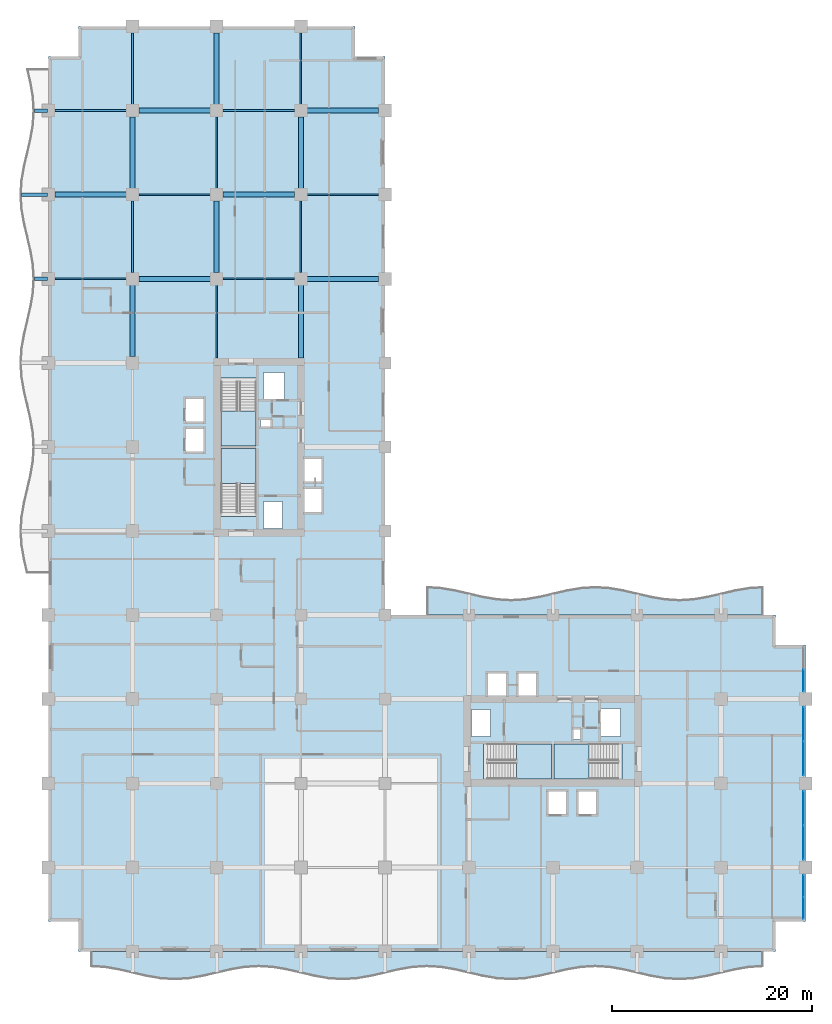
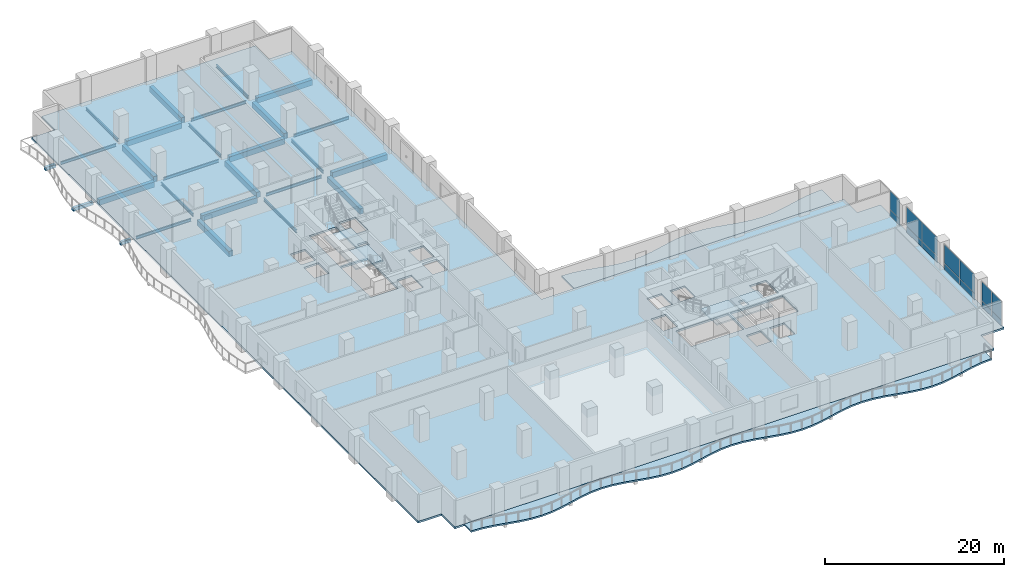
# One storey, part 7 of 23: 27 beams, 14 plates, 7 slabs, 8 elements without a shape of their own.
"""IFC4 building model written with IfcOpenShell, lengths in metres."""

from ifc_helpers import new_model, si_unit, direction, frame, origin, origin_2d, place, context, subcontext, project, spatial, polyline, rectangle, i_section, outline, extrude, material, layer, layer_set, material_profile, profile_set, type_object, element, aggregate, save


model = new_model("IFC4")

# Units and contexts
model_context = context("Model", 3, precision=1e-05, world=origin(), true_north=direction((0.0, 1.0)))
body_context = subcontext(model_context, "Body", "Model", "MODEL_VIEW")
ifc_project = project(units=[si_unit("LENGTHUNIT", "METRE"), si_unit("AREAUNIT", "SQUARE_METRE"), si_unit("VOLUMEUNIT", "CUBIC_METRE"), si_unit("PLANEANGLEUNIT", "RADIAN"), si_unit("MASSUNIT", "GRAM", prefix="KILO")], contexts=[model_context])

# Site, building, storey
site_placement = place(None, origin())
site = spatial("IfcSite", under=ifc_project, at=site_placement, CompositionType="ELEMENT")
building_placement = place(site_placement, origin())
building = spatial("IfcBuilding", under=site, at=building_placement, Name="Koriwani Terraces Tower", CompositionType="ELEMENT")
storey_placement = place(building_placement, frame((0.0, 0.0, 134.199951171875)))
storey = spatial("IfcBuildingStorey", under=building, at=storey_placement, Name="L32", CompositionType="ELEMENT", Elevation=134.199951171875)

# Beams
ifc_material_1 = material(Name="Concrete C40/50", Category="concrete")
ifc_material_profile_1 = material_profile(ifc_material_1, rectangle(XDim=0.35009765625, YDim=0.449951171875, at=origin_2d()), Name="Concrete C40/50", Category="LoadBearing")
ifc_profile_set_1 = profile_set([ifc_material_profile_1], Name="Concrete C40/50")
beam_type_1 = type_object("IfcBeamType", Name="BEAM_RC_BALCONY_RIB_350X450", PredefinedType="JOIST", material=ifc_profile_set_1)
beam_1_placement = place(storey_placement, frame((-1.39990234375, 67.199951171875, -0.474853515625), z_axis=(1.0, 0.0, 0.0), x_axis=(0.0, 1.0, 0.0)))
element("IfcBeam", 1, at=beam_1_placement, inside=storey, type_object=beam_type_1, Name="L32 Balcony Bracket Rib W-4", PredefinedType="JOIST", context=body_context, shape_type="SweptSolid", body=[
    extrude(rectangle(XDim=0.35009765625, YDim=0.449951171875, at=origin_2d()), origin(), (0.0, 0.0, 1.0), 1.2998046875),
])
beam_2_placement = place(storey_placement, frame((-2.699951171875, 75.60009765625, -0.474853515625), z_axis=(1.0, 0.0, 0.0), x_axis=(0.0, 1.0, 0.0)))
element("IfcBeam", 2, at=beam_2_placement, inside=storey, type_object=beam_type_1, Name="L32 Balcony Bracket Rib W-5", PredefinedType="JOIST", context=body_context, shape_type="SweptSolid", body=[
    extrude(rectangle(XDim=0.35009765625, YDim=0.449951171875, at=origin_2d()), origin(), (0.0, 0.0, 1.0), 2.599853515625),
])
beam_3_placement = place(storey_placement, frame((-1.39990234375, 84.0, -0.474853515625), z_axis=(1.0, 0.0, 0.0), x_axis=(0.0, 1.0, 0.0)))
element("IfcBeam", 3, at=beam_3_placement, inside=storey, type_object=beam_type_1, Name="L32 Balcony Bracket Rib W-6", PredefinedType="JOIST", context=body_context, shape_type="SweptSolid", body=[
    extrude(rectangle(XDim=0.35009765625, YDim=0.449951171875, at=origin_2d()), origin(), (0.0, 0.0, 1.0), 1.2998046875),
])
ifc_material_2 = material(Name="Concrete C50/60", Category="concrete")
ifc_material_profile_2 = material_profile(ifc_material_2, rectangle(XDim=0.5, YDim=0.75, at=origin_2d()), Name="Concrete C50/60", Category="LoadBearing")
ifc_profile_set_2 = profile_set([ifc_material_profile_2], Name="Concrete C50/60")
beam_type_2 = type_object("IfcBeamType", Name="BEAM_RC_GRID_500X750", PredefinedType="BEAM", material=ifc_profile_set_2)
for number, where, z_axis, x_axis, name in (
    (4, (9.030029296875, 67.199951171875, -0.625), (1.0, 0.0, 0.0), (0.0, 1.0, 0.0), "L32 Grid Beam I (8.4-16.8m)"),
    (5, (25.830078125, 67.199951171875, -0.625), (1.0, 0.0, 0.0), (0.0, 1.0, 0.0), "L32 Grid Beam I (25.2-33.6m)"),
):
    element("IfcBeam", number, at=place(storey_placement, frame(where, z_axis=z_axis, x_axis=x_axis)), inside=storey, type_object=beam_type_2, Name=name, PredefinedType="BEAM", context=body_context, shape_type="SweptSolid", body=[
        extrude(rectangle(XDim=0.5, YDim=0.75, at=origin_2d()), origin(), (0.0, 0.0, 1.0), 7.139892578125),
    ])
for number, where, z_axis, x_axis, name in (
    (6, (0.6298828125, 75.60009765625, -0.625), (1.0, 0.0, 0.0), (0.0, 1.0, 0.0), "L32 Grid Beam J (0.0-8.4m)"),
    (7, (17.429931640625, 75.60009765625, -0.625), (1.0, 0.0, 0.0), (0.0, 1.0, 0.0), "L32 Grid Beam J (16.8-25.2m)"),
):
    element("IfcBeam", number, at=place(storey_placement, frame(where, z_axis=z_axis, x_axis=x_axis)), inside=storey, type_object=beam_type_2, Name=name, PredefinedType="BEAM", context=body_context, shape_type="SweptSolid", body=[
        extrude(rectangle(XDim=0.5, YDim=0.75, at=origin_2d()), origin(), (0.0, 0.0, 1.0), 7.14013671875),
    ])
for number, where, z_axis, x_axis, name in (
    (8, (9.030029296875, 84.0, -0.625), (1.0, 0.0, 0.0), (0.0, 1.0, 0.0), "L32 Grid Beam K (8.4-16.8m)"),
    (9, (25.830078125, 84.0, -0.625), (1.0, 0.0, 0.0), (0.0, 1.0, 0.0), "L32 Grid Beam K (25.2-33.6m)"),
):
    element("IfcBeam", number, at=place(storey_placement, frame(where, z_axis=z_axis, x_axis=x_axis)), inside=storey, type_object=beam_type_2, Name=name, PredefinedType="BEAM", context=body_context, shape_type="SweptSolid", body=[
        extrude(rectangle(XDim=0.5, YDim=0.75, at=origin_2d()), origin(), (0.0, 0.0, 1.0), 7.139892578125),
    ])
for number, where, z_axis, x_axis, name in (
    (10, (8.39990234375, 59.429931640625, -0.625), (0.0, 1.0, 0.0), (-1.0, 0.0, 0.0), "L32 Grid Beam 2 (58.8-67.2m)"),
    (11, (8.39990234375, 76.22998046875, -0.625), (0.0, 1.0, 0.0), (-1.0, 0.0, 0.0), "L32 Grid Beam 2 (75.6-84.0m)"),
):
    element("IfcBeam", number, at=place(storey_placement, frame(where, z_axis=z_axis, x_axis=x_axis)), inside=storey, type_object=beam_type_2, Name=name, PredefinedType="BEAM", context=body_context, shape_type="SweptSolid", body=[
        extrude(rectangle(XDim=0.5, YDim=0.75, at=origin_2d()), origin(), (0.0, 0.0, 1.0), 7.14013671875),
    ])
beam_4_placement = place(storey_placement, frame((16.800048828125, 67.830078125, -0.625), z_axis=(0.0, 1.0, 0.0), x_axis=(-1.0, 0.0, 0.0)))
element("IfcBeam", 12, at=beam_4_placement, inside=storey, type_object=beam_type_2, Name="L32 Grid Beam 3 (67.2-75.6m)", PredefinedType="BEAM", context=body_context, shape_type="SweptSolid", body=[
    extrude(rectangle(XDim=0.5, YDim=0.75, at=origin_2d()), origin(), (0.0, 0.0, 1.0), 7.139892578125),
])
beam_5_placement = place(storey_placement, frame((16.800048828125, 84.6298828125, -0.625), z_axis=(0.0, 1.0, 0.0), x_axis=(-1.0, 0.0, 0.0)))
element("IfcBeam", 13, at=beam_5_placement, inside=storey, type_object=beam_type_2, Name="L32 Grid Beam 3 (84.0-92.4m)", PredefinedType="BEAM", context=body_context, shape_type="SweptSolid", body=[
    extrude(rectangle(XDim=0.5, YDim=0.75, at=origin_2d()), origin(), (0.0, 0.0, 1.0), 7.14013671875),
])
beam_6_placement = place(storey_placement, frame((25.199951171875, 59.280029296875, -0.625), z_axis=(0.0, 1.0, 0.0), x_axis=(-1.0, 0.0, 0.0)))
element("IfcBeam", 14, at=beam_6_placement, inside=storey, type_object=beam_type_2, Name="L32 Grid Beam 4 (58.8-67.2m)", PredefinedType="BEAM", context=body_context, shape_type="SweptSolid", body=[
    extrude(rectangle(XDim=0.5, YDim=0.75, at=origin_2d()), origin(), (0.0, 0.0, 1.0), 7.2900390625),
])
beam_7_placement = place(storey_placement, frame((25.199951171875, 76.22998046875, -0.625), z_axis=(0.0, 1.0, 0.0), x_axis=(-1.0, 0.0, 0.0)))
element("IfcBeam", 15, at=beam_7_placement, inside=storey, type_object=beam_type_2, Name="L32 Grid Beam 4 (75.6-84.0m)", PredefinedType="BEAM", context=body_context, shape_type="SweptSolid", body=[
    extrude(rectangle(XDim=0.5, YDim=0.75, at=origin_2d()), origin(), (0.0, 0.0, 1.0), 7.14013671875),
])
ifc_material_3 = material(Name="Steel ASTM A572 Grade 50", Category="steel")
ifc_material_profile_3 = material_profile(ifc_material_3, i_section(OverallWidth=0.180908203125, OverallDepth=0.4169921875, WebThickness=0.010986328125, FlangeThickness=0.018310546875, at=origin_2d()), Name="Steel ASTM A572 Grade 50", Category="LoadBearing")
ifc_profile_set_3 = profile_set([ifc_material_profile_3], Name="Steel ASTM A572 Grade 50")
beam_type_3 = type_object("IfcBeamType", Name="STEEL_BEAM_W410X85", PredefinedType="JOIST", material=ifc_profile_set_3)
for number, where, z_axis, x_axis, name in (
    (16, (0.6298828125, 67.199951171875, -0.45849609375), (1.0, 0.0, 0.0), (0.0, 1.0, 0.0), "L32 Grid Beam I (0.0-8.4m)"),
    (17, (17.429931640625, 67.199951171875, -0.45849609375), (1.0, 0.0, 0.0), (0.0, 1.0, 0.0), "L32 Grid Beam I (16.8-25.2m)"),
):
    element("IfcBeam", number, at=place(storey_placement, frame(where, z_axis=z_axis, x_axis=x_axis)), inside=storey, type_object=beam_type_3, Name=name, PredefinedType="JOIST", context=body_context, shape_type="SweptSolid", body=[
        extrude(i_section(OverallWidth=0.180908203125, OverallDepth=0.4169921875, WebThickness=0.010986328125, FlangeThickness=0.018310546875, at=origin_2d()), origin(), (0.0, 0.0, 1.0), 7.14013671875),
    ])
for number, where, z_axis, x_axis, name in (
    (18, (9.030029296875, 75.60009765625, -0.45849609375), (1.0, 0.0, 0.0), (0.0, 1.0, 0.0), "L32 Grid Beam J (8.4-16.8m)"),
    (19, (25.830078125, 75.60009765625, -0.45849609375), (1.0, 0.0, 0.0), (0.0, 1.0, 0.0), "L32 Grid Beam J (25.2-33.6m)"),
):
    element("IfcBeam", number, at=place(storey_placement, frame(where, z_axis=z_axis, x_axis=x_axis)), inside=storey, type_object=beam_type_3, Name=name, PredefinedType="JOIST", context=body_context, shape_type="SweptSolid", body=[
        extrude(i_section(OverallWidth=0.180908203125, OverallDepth=0.4169921875, WebThickness=0.010986328125, FlangeThickness=0.018310546875, at=origin_2d()), origin(), (0.0, 0.0, 1.0), 7.139892578125),
    ])
for number, where, z_axis, x_axis, name in (
    (20, (0.6298828125, 84.0, -0.45849609375), (1.0, 0.0, 0.0), (0.0, 1.0, 0.0), "L32 Grid Beam K (0.0-8.4m)"),
    (21, (17.429931640625, 84.0, -0.45849609375), (1.0, 0.0, 0.0), (0.0, 1.0, 0.0), "L32 Grid Beam K (16.8-25.2m)"),
):
    element("IfcBeam", number, at=place(storey_placement, frame(where, z_axis=z_axis, x_axis=x_axis)), inside=storey, type_object=beam_type_3, Name=name, PredefinedType="JOIST", context=body_context, shape_type="SweptSolid", body=[
        extrude(i_section(OverallWidth=0.180908203125, OverallDepth=0.4169921875, WebThickness=0.010986328125, FlangeThickness=0.018310546875, at=origin_2d()), origin(), (0.0, 0.0, 1.0), 7.14013671875),
    ])
beam_8_placement = place(storey_placement, frame((8.39990234375, 67.830078125, -0.45849609375), z_axis=(0.0, 1.0, 0.0), x_axis=(-1.0, 0.0, 0.0)))
element("IfcBeam", 22, at=beam_8_placement, inside=storey, type_object=beam_type_3, Name="L32 Grid Beam 2 (67.2-75.6m)", PredefinedType="JOIST", context=body_context, shape_type="SweptSolid", body=[
    extrude(i_section(OverallWidth=0.180908203125, OverallDepth=0.4169921875, WebThickness=0.010986328125, FlangeThickness=0.018310546875, at=origin_2d()), origin(), (0.0, 0.0, 1.0), 7.139892578125),
])
beam_9_placement = place(storey_placement, frame((8.39990234375, 84.6298828125, -0.45849609375), z_axis=(0.0, 1.0, 0.0), x_axis=(-1.0, 0.0, 0.0)))
element("IfcBeam", 23, at=beam_9_placement, inside=storey, type_object=beam_type_3, Name="L32 Grid Beam 2 (84.0-92.4m)", PredefinedType="JOIST", context=body_context, shape_type="SweptSolid", body=[
    extrude(i_section(OverallWidth=0.180908203125, OverallDepth=0.4169921875, WebThickness=0.010986328125, FlangeThickness=0.018310546875, at=origin_2d()), origin(), (0.0, 0.0, 1.0), 7.14013671875),
])
beam_10_placement = place(storey_placement, frame((16.800048828125, 59.280029296875, -0.45849609375), z_axis=(0.0, 1.0, 0.0), x_axis=(-1.0, 0.0, 0.0)))
element("IfcBeam", 24, at=beam_10_placement, inside=storey, type_object=beam_type_3, Name="L32 Grid Beam 3 (58.8-67.2m)", PredefinedType="JOIST", context=body_context, shape_type="SweptSolid", body=[
    extrude(i_section(OverallWidth=0.180908203125, OverallDepth=0.4169921875, WebThickness=0.010986328125, FlangeThickness=0.018310546875, at=origin_2d()), origin(), (0.0, 0.0, 1.0), 7.2900390625),
])
beam_11_placement = place(storey_placement, frame((16.800048828125, 76.22998046875, -0.45849609375), z_axis=(0.0, 1.0, 0.0), x_axis=(-1.0, 0.0, 0.0)))
element("IfcBeam", 25, at=beam_11_placement, inside=storey, type_object=beam_type_3, Name="L32 Grid Beam 3 (75.6-84.0m)", PredefinedType="JOIST", context=body_context, shape_type="SweptSolid", body=[
    extrude(i_section(OverallWidth=0.180908203125, OverallDepth=0.4169921875, WebThickness=0.010986328125, FlangeThickness=0.018310546875, at=origin_2d()), origin(), (0.0, 0.0, 1.0), 7.14013671875),
])
beam_12_placement = place(storey_placement, frame((25.199951171875, 67.830078125, -0.45849609375), z_axis=(0.0, 1.0, 0.0), x_axis=(-1.0, 0.0, 0.0)))
element("IfcBeam", 26, at=beam_12_placement, inside=storey, type_object=beam_type_3, Name="L32 Grid Beam 4 (67.2-75.6m)", PredefinedType="JOIST", context=body_context, shape_type="SweptSolid", body=[
    extrude(i_section(OverallWidth=0.180908203125, OverallDepth=0.4169921875, WebThickness=0.010986328125, FlangeThickness=0.018310546875, at=origin_2d()), origin(), (0.0, 0.0, 1.0), 7.139892578125),
])
beam_13_placement = place(storey_placement, frame((25.199951171875, 84.6298828125, -0.45849609375), z_axis=(0.0, 1.0, 0.0), x_axis=(-1.0, 0.0, 0.0)))
element("IfcBeam", 27, at=beam_13_placement, inside=storey, type_object=beam_type_3, Name="L32 Grid Beam 4 (84.0-92.4m)", PredefinedType="JOIST", context=body_context, shape_type="SweptSolid", body=[
    extrude(i_section(OverallWidth=0.180908203125, OverallDepth=0.4169921875, WebThickness=0.010986328125, FlangeThickness=0.018310546875, at=origin_2d()), origin(), (0.0, 0.0, 1.0), 7.14013671875),
])

# Curtain wall, plates
ifc_material_4 = material(Name="Anodised Bronze Aluminium", Category="aluminium")
ifc_layer_1 = layer(ifc_material_4, 0.179931640625, Name="Anodised Bronze Aluminium")
ifc_layer_set_1 = layer_set([ifc_layer_1], Name="Anodised Bronze Aluminium")
curtain_wall_type = type_object("IfcCurtainWallType", Name="CW_HOTEL_ZONE2", PredefinedType="NOTDEFINED", material=ifc_layer_set_1)
curtain_wall_1_placement = place(storey_placement, origin())
curtain_wall_1 = element("IfcCurtainWall", 28, at=curtain_wall_1_placement, inside=storey, type_object=curtain_wall_type, Name="L32 Unitised Curtain Wall (E_TIP) Bay 1", PredefinedType="NOTDEFINED")
ifc_material_5 = material(Name="Tempered Laminated Low-E Glass", Category="glass")
ifc_layer_2 = layer(ifc_material_5, 0.028076171875, Name="Tempered Laminated Low-E Glass")
ifc_layer_set_2 = layer_set([ifc_layer_2], Name="Tempered Laminated Low-E Glass")
plate_type = type_object("IfcPlateType", Name="CW_PANEL_VISION_28", PredefinedType="CURTAIN_PANEL", material=ifc_layer_set_2)
plate_1_placement = place(storey_placement, frame((75.425048828125, 27.0576171875, 0.06494140625), z_axis=(0.0, 0.0, 1.0), x_axis=(0.0, -1.0, 0.0)))
plate_1 = element("IfcPlate", 29, at=plate_1_placement, type_object=plate_type, Name="CW-Z2 panel 2.1", PredefinedType="CURTAIN_PANEL", context=body_context, shape_type="SweptSolid", body=[
    extrude(rectangle(XDim=2.14501953125, YDim=0.028076171875, at=origin_2d()), origin(), (0.0, 0.0, 1.0), 0.802490234375),
])
plate_2_placement = place(storey_placement, frame((75.425048828125, 27.0576171875, 0.9326171875), z_axis=(0.0, 0.0, 1.0), x_axis=(0.0, -1.0, 0.0)))
plate_2 = element("IfcPlate", 30, at=plate_2_placement, type_object=plate_type, Name="CW-Z2 panel 2.2", PredefinedType="CURTAIN_PANEL", context=body_context, shape_type="SweptSolid", body=[
    extrude(rectangle(XDim=2.14501953125, YDim=0.028076171875, at=origin_2d()), origin(), (0.0, 0.0, 1.0), 2.552490234375),
])
aggregate(curtain_wall_1, [plate_1, plate_2])

curtain_wall_2_placement = place(storey_placement, origin())
curtain_wall_2 = element("IfcCurtainWall", 31, at=curtain_wall_2_placement, inside=storey, type_object=curtain_wall_type, Name="L32 Unitised Curtain Wall (E_TIP) Bay 2", PredefinedType="NOTDEFINED")
plate_3_placement = place(storey_placement, frame((75.425048828125, 22.726318359375, 0.06494140625), z_axis=(0.0, 0.0, 1.0), x_axis=(0.0, -1.0, 0.0)))
plate_3 = element("IfcPlate", 32, at=plate_3_placement, type_object=plate_type, Name="CW-Z2 panel 1.1", PredefinedType="CURTAIN_PANEL", context=body_context, shape_type="SweptSolid", body=[
    extrude(rectangle(XDim=3.37744140625, YDim=0.028076171875, at=origin_2d()), origin(), (0.0, 0.0, 1.0), 0.802490234375),
])
plate_4_placement = place(storey_placement, frame((75.425048828125, 22.726318359375, 0.9326171875), z_axis=(0.0, 0.0, 1.0), x_axis=(0.0, -1.0, 0.0)))
plate_4 = element("IfcPlate", 33, at=plate_4_placement, type_object=plate_type, Name="CW-Z2 panel 1.2", PredefinedType="CURTAIN_PANEL", context=body_context, shape_type="SweptSolid", body=[
    extrude(rectangle(XDim=3.37744140625, YDim=0.028076171875, at=origin_2d()), origin(), (0.0, 0.0, 1.0), 2.552490234375),
])
plate_5_placement = place(storey_placement, frame((75.425048828125, 19.273681640625, 0.06494140625), z_axis=(0.0, 0.0, 1.0), x_axis=(0.0, -1.0, 0.0)))
plate_5 = element("IfcPlate", 34, at=plate_5_placement, type_object=plate_type, Name="CW-Z2 panel 2.1", PredefinedType="CURTAIN_PANEL", context=body_context, shape_type="SweptSolid", body=[
    extrude(rectangle(XDim=3.37744140625, YDim=0.028076171875, at=origin_2d()), origin(), (0.0, 0.0, 1.0), 0.802490234375),
])
plate_6_placement = place(storey_placement, frame((75.425048828125, 19.273681640625, 0.9326171875), z_axis=(0.0, 0.0, 1.0), x_axis=(0.0, -1.0, 0.0)))
plate_6 = element("IfcPlate", 35, at=plate_6_placement, type_object=plate_type, Name="CW-Z2 panel 2.2", PredefinedType="CURTAIN_PANEL", context=body_context, shape_type="SweptSolid", body=[
    extrude(rectangle(XDim=3.37744140625, YDim=0.028076171875, at=origin_2d()), origin(), (0.0, 0.0, 1.0), 2.552490234375),
])
aggregate(curtain_wall_2, [plate_3, plate_4, plate_5, plate_6])

curtain_wall_3_placement = place(storey_placement, origin())
curtain_wall_3 = element("IfcCurtainWall", 36, at=curtain_wall_3_placement, inside=storey, type_object=curtain_wall_type, Name="L32 Unitised Curtain Wall (E_TIP) Bay 3", PredefinedType="NOTDEFINED")
plate_7_placement = place(storey_placement, frame((75.425048828125, 14.326171875, 0.06494140625), z_axis=(0.0, 0.0, 1.0), x_axis=(0.0, -1.0, 0.0)))
plate_7 = element("IfcPlate", 37, at=plate_7_placement, type_object=plate_type, Name="CW-Z2 panel 1.1", PredefinedType="CURTAIN_PANEL", context=body_context, shape_type="SweptSolid", body=[
    extrude(rectangle(XDim=3.37744140625, YDim=0.028076171875, at=origin_2d()), origin(), (0.0, 0.0, 1.0), 0.802490234375),
])
plate_8_placement = place(storey_placement, frame((75.425048828125, 14.326171875, 0.9326171875), z_axis=(0.0, 0.0, 1.0), x_axis=(0.0, -1.0, 0.0)))
plate_8 = element("IfcPlate", 38, at=plate_8_placement, type_object=plate_type, Name="CW-Z2 panel 1.2", PredefinedType="CURTAIN_PANEL", context=body_context, shape_type="SweptSolid", body=[
    extrude(rectangle(XDim=3.37744140625, YDim=0.028076171875, at=origin_2d()), origin(), (0.0, 0.0, 1.0), 2.552490234375),
])
plate_9_placement = place(storey_placement, frame((75.425048828125, 10.873779296875, 0.06494140625), z_axis=(0.0, 0.0, 1.0), x_axis=(0.0, -1.0, 0.0)))
plate_9 = element("IfcPlate", 39, at=plate_9_placement, type_object=plate_type, Name="CW-Z2 panel 2.1", PredefinedType="CURTAIN_PANEL", context=body_context, shape_type="SweptSolid", body=[
    extrude(rectangle(XDim=3.37744140625, YDim=0.028076171875, at=origin_2d()), origin(), (0.0, 0.0, 1.0), 0.802490234375),
])
plate_10_placement = place(storey_placement, frame((75.425048828125, 10.873779296875, 0.9326171875), z_axis=(0.0, 0.0, 1.0), x_axis=(0.0, -1.0, 0.0)))
plate_10 = element("IfcPlate", 40, at=plate_10_placement, type_object=plate_type, Name="CW-Z2 panel 2.2", PredefinedType="CURTAIN_PANEL", context=body_context, shape_type="SweptSolid", body=[
    extrude(rectangle(XDim=3.37744140625, YDim=0.028076171875, at=origin_2d()), origin(), (0.0, 0.0, 1.0), 2.552490234375),
])
aggregate(curtain_wall_3, [plate_7, plate_8, plate_9, plate_10])

curtain_wall_4_placement = place(storey_placement, origin())
curtain_wall_4 = element("IfcCurtainWall", 41, at=curtain_wall_4_placement, inside=storey, type_object=curtain_wall_type, Name="L32 Unitised Curtain Wall (E_TIP) Bay 4", PredefinedType="NOTDEFINED")
plate_11_placement = place(storey_placement, frame((75.425048828125, 6.54248046875, 0.06494140625), z_axis=(0.0, 0.0, 1.0), x_axis=(0.0, -1.0, 0.0)))
plate_11 = element("IfcPlate", 42, at=plate_11_placement, type_object=plate_type, Name="CW-Z2 panel 1.1", PredefinedType="CURTAIN_PANEL", context=body_context, shape_type="SweptSolid", body=[
    extrude(rectangle(XDim=2.14501953125, YDim=0.028076171875, at=origin_2d()), origin(), (0.0, 0.0, 1.0), 0.802490234375),
])
plate_12_placement = place(storey_placement, frame((75.425048828125, 6.54248046875, 0.9326171875), z_axis=(0.0, 0.0, 1.0), x_axis=(0.0, -1.0, 0.0)))
plate_12 = element("IfcPlate", 43, at=plate_12_placement, type_object=plate_type, Name="CW-Z2 panel 1.2", PredefinedType="CURTAIN_PANEL", context=body_context, shape_type="SweptSolid", body=[
    extrude(rectangle(XDim=2.14501953125, YDim=0.028076171875, at=origin_2d()), origin(), (0.0, 0.0, 1.0), 2.552490234375),
])
plate_13_placement = place(storey_placement, frame((75.425048828125, 4.322509765625, 0.06494140625), z_axis=(0.0, 0.0, 1.0), x_axis=(0.0, -1.0, 0.0)))
plate_13 = element("IfcPlate", 44, at=plate_13_placement, type_object=plate_type, Name="CW-Z2 panel 2.1", PredefinedType="CURTAIN_PANEL", context=body_context, shape_type="SweptSolid", body=[
    extrude(rectangle(XDim=2.14501953125, YDim=0.028076171875, at=origin_2d()), origin(), (0.0, 0.0, 1.0), 0.802490234375),
])
plate_14_placement = place(storey_placement, frame((75.425048828125, 4.322509765625, 0.9326171875), z_axis=(0.0, 0.0, 1.0), x_axis=(0.0, -1.0, 0.0)))
plate_14 = element("IfcPlate", 45, at=plate_14_placement, type_object=plate_type, Name="CW-Z2 panel 2.2", PredefinedType="CURTAIN_PANEL", context=body_context, shape_type="SweptSolid", body=[
    extrude(rectangle(XDim=2.14501953125, YDim=0.028076171875, at=origin_2d()), origin(), (0.0, 0.0, 1.0), 2.552490234375),
])
aggregate(curtain_wall_4, [plate_11, plate_12, plate_13, plate_14])

# Slabs
ifc_layer_3 = layer(ifc_material_1, 0.219970703125, Name="Concrete C40/50")
ifc_layer_set_3 = layer_set([ifc_layer_3], Name="Concrete C40/50")
slab_type_1 = type_object("IfcSlabType", Name="SLAB_BALCONY_220", PredefinedType="FLOOR", material=ifc_layer_set_3)
slab_1_placement = place(storey_placement, frame((0.0, 0.0, -0.219970703125)))
element("IfcSlab", 46, at=slab_1_placement, inside=storey, type_object=slab_type_1, Name="L32 Quilted Circular-Arc Balcony (S)", PredefinedType="FLOOR", context=body_context, shape_type="SweptSolid", body=[
    extrude(outline(polyline([(4.199951171875, 0.0), (5.60009765625, 0.0), (7.0, 0.0), (8.39990234375, 0.0), (9.800048828125, 0.0), (11.199951171875, 0.0), (12.60009765625, 0.0), (14.0, 0.0), (15.39990234375, 0.0), (16.800048828125, 0.0), (18.199951171875, 0.0), (19.60009765625, 0.0), (21.0, 0.0), (22.39990234375, 0.0), (23.800048828125, 0.0), (25.199951171875, 0.0), (26.60009765625, 0.0), (28.0, 0.0), (29.39990234375, 0.0), (30.800048828125, 0.0), (32.199951171875, 0.0), (33.60009765625, 0.0), (35.0, 0.0), (36.39990234375, 0.0), (37.800048828125, 0.0), (39.199951171875, 0.0), (40.60009765625, 0.0), (42.0, 0.0), (43.39990234375, 0.0), (44.800048828125, 0.0), (46.199951171875, 0.0), (47.60009765625, 0.0), (49.0, 0.0), (50.39990234375, 0.0), (51.800048828125, 0.0), (53.199951171875, 0.0), (54.60009765625, 0.0), (56.0, 0.0), (57.39990234375, 0.0), (58.800048828125, 0.0), (60.199951171875, 0.0), (61.60009765625, 0.0), (63.0, 0.0), (64.39990234375, 0.0), (65.800048828125, 0.0), (67.199951171875, 0.0), (68.60009765625, 0.0), (70.0, 0.0), (71.39990234375, 0.0), (71.39990234375, -1.550048828125), (70.0, -1.63720703125), (68.60009765625, -1.875), (67.199951171875, -2.199951171875), (65.800048828125, -2.52490234375), (64.39990234375, -2.762939453125), (63.0, -2.85009765625), (61.60009765625, -2.762939453125), (60.199951171875, -2.52490234375), (58.800048828125, -2.199951171875), (57.39990234375, -1.875), (56.0, -1.63720703125), (54.60009765625, -1.550048828125), (53.199951171875, -1.63720703125), (51.800048828125, -1.875), (50.39990234375, -2.199951171875), (49.0, -2.52490234375), (47.60009765625, -2.762939453125), (46.199951171875, -2.85009765625), (44.800048828125, -2.762939453125), (43.39990234375, -2.52490234375), (42.0, -2.199951171875), (40.60009765625, -1.875), (39.199951171875, -1.63720703125), (37.800048828125, -1.550048828125), (36.39990234375, -1.63720703125), (35.0, -1.875), (33.60009765625, -2.199951171875), (32.199951171875, -2.52490234375), (30.800048828125, -2.762939453125), (29.39990234375, -2.85009765625), (28.0, -2.762939453125), (26.60009765625, -2.52490234375), (25.199951171875, -2.199951171875), (23.800048828125, -1.875), (22.39990234375, -1.63720703125), (21.0, -1.550048828125), (19.60009765625, -1.63720703125), (18.199951171875, -1.875), (16.800048828125, -2.199951171875), (15.39990234375, -2.52490234375), (14.0, -2.762939453125), (12.60009765625, -2.85009765625), (11.199951171875, -2.762939453125), (9.800048828125, -2.52490234375), (8.39990234375, -2.199951171875), (7.0, -1.875), (5.60009765625, -1.63720703125), (4.199951171875, -1.550048828125), (4.199951171875, 0.0)])), origin(), (0.0, 0.0, 1.0), 0.219970703125),
])
slab_2_placement = place(storey_placement, frame((0.0, 0.0, -0.219970703125)))
element("IfcSlab", 47, at=slab_2_placement, inside=storey, type_object=slab_type_1, Name="L32 Quilted Circular-Arc Balcony (NE)", PredefinedType="FLOOR", context=body_context, shape_type="SweptSolid", body=[
    extrude(outline(polyline([(71.39990234375, 33.60009765625), (70.0, 33.60009765625), (68.60009765625, 33.60009765625), (67.199951171875, 33.60009765625), (65.800048828125, 33.60009765625), (64.39990234375, 33.60009765625), (63.0, 33.60009765625), (61.60009765625, 33.60009765625), (60.199951171875, 33.60009765625), (58.800048828125, 33.60009765625), (57.39990234375, 33.60009765625), (56.0, 33.60009765625), (54.60009765625, 33.60009765625), (53.199951171875, 33.60009765625), (51.800048828125, 33.60009765625), (50.39990234375, 33.60009765625), (49.0, 33.60009765625), (47.60009765625, 33.60009765625), (46.199951171875, 33.60009765625), (44.800048828125, 33.60009765625), (43.39990234375, 33.60009765625), (42.0, 33.60009765625), (40.60009765625, 33.60009765625), (39.199951171875, 33.60009765625), (37.800048828125, 33.60009765625), (37.800048828125, 36.449951171875), (39.199951171875, 36.36279296875), (40.60009765625, 36.125), (42.0, 35.800048828125), (43.39990234375, 35.47509765625), (44.800048828125, 35.237060546875), (46.199951171875, 35.14990234375), (47.60009765625, 35.237060546875), (49.0, 35.47509765625), (50.39990234375, 35.800048828125), (51.800048828125, 36.125), (53.199951171875, 36.36279296875), (54.60009765625, 36.449951171875), (56.0, 36.36279296875), (57.39990234375, 36.125), (58.800048828125, 35.800048828125), (60.199951171875, 35.47509765625), (61.60009765625, 35.237060546875), (63.0, 35.14990234375), (64.39990234375, 35.237060546875), (65.800048828125, 35.47509765625), (67.199951171875, 35.800048828125), (68.60009765625, 36.125), (70.0, 36.36279296875), (71.39990234375, 36.449951171875), (71.39990234375, 33.60009765625)])), origin(), (0.0, 0.0, 1.0), 0.219970703125),
])

# Stair, slab
stair_type = type_object("IfcStairType", Name="STAIR_CORE_DOGLEG_1650", PredefinedType="TWO_STRAIGHT_RUN_STAIR", material=ifc_material_1)
stair_1_placement = place(storey_placement, origin())
stair_1 = element("IfcStair", 48, at=stair_1_placement, inside=storey, type_object=stair_type, Name="L32 West Core Exit Stair 1", PredefinedType="HALF_TURN_STAIR")
ifc_layer_4 = layer(ifc_material_1, 0.199951171875, Name="Concrete C40/50")
ifc_layer_set_4 = layer_set([ifc_layer_4], Name="Concrete C40/50")
slab_type_2 = type_object("IfcSlabType", Name="SLAB_STAIR_LANDING_200", PredefinedType="LANDING", material=ifc_layer_set_4)
slab_3_placement = place(storey_placement, frame((0.0, 0.0, 1.699951171875)))
slab_3 = element("IfcSlab", 49, at=slab_3_placement, type_object=slab_type_2, Name="ST-W1 landing 1", PredefinedType="LANDING", context=body_context, shape_type="SweptSolid", body=[
    extrude(outline(polyline([(20.75, 46.75), (20.75, 50.25), (17.25, 50.25), (17.25, 46.75), (20.75, 46.75)])), origin(), (0.0, 0.0, 1.0), 0.2001953125),
])
aggregate(stair_1, [slab_3])

stair_2_placement = place(storey_placement, origin())
stair_2 = element("IfcStair", 50, at=stair_2_placement, inside=storey, type_object=stair_type, Name="L32 West Core Exit Stair 2", PredefinedType="HALF_TURN_STAIR")
slab_4_placement = place(storey_placement, frame((0.0, 0.0, 1.699951171875)))
slab_4 = element("IfcSlab", 51, at=slab_4_placement, type_object=slab_type_2, Name="ST-W2 landing 1", PredefinedType="LANDING", context=body_context, shape_type="SweptSolid", body=[
    extrude(outline(polyline([(17.25, 54.0), (17.25, 50.5), (20.75, 50.5), (20.75, 54.0), (17.25, 54.0)])), origin(), (0.0, 0.0, 1.0), 0.2001953125),
])
aggregate(stair_2, [slab_4])

stair_3_placement = place(storey_placement, origin())
stair_3 = element("IfcStair", 52, at=stair_3_placement, inside=storey, type_object=stair_type, Name="L32 East Core Exit Stair 1", PredefinedType="HALF_TURN_STAIR")
slab_5_placement = place(storey_placement, frame((0.0, 0.0, 1.699951171875)))
slab_5 = element("IfcSlab", 53, at=slab_5_placement, type_object=slab_type_2, Name="ST-E1 landing 1", PredefinedType="LANDING", context=body_context, shape_type="SweptSolid", body=[
    extrude(outline(polyline([(46.75, 17.25), (50.25, 17.25), (50.25, 20.75), (46.75, 20.75), (46.75, 17.25)])), origin(), (0.0, 0.0, 1.0), 0.2001953125),
])
aggregate(stair_3, [slab_5])

stair_4_placement = place(storey_placement, origin())
stair_4 = element("IfcStair", 54, at=stair_4_placement, inside=storey, type_object=stair_type, Name="L32 East Core Exit Stair 2", PredefinedType="HALF_TURN_STAIR")
slab_6_placement = place(storey_placement, frame((0.0, 0.0, 1.699951171875)))
slab_6 = element("IfcSlab", 55, at=slab_6_placement, type_object=slab_type_2, Name="ST-E2 landing 1", PredefinedType="LANDING", context=body_context, shape_type="SweptSolid", body=[
    extrude(outline(polyline([(54.0, 20.75), (50.5, 20.75), (50.5, 17.25), (54.0, 17.25), (54.0, 20.75)])), origin(), (0.0, 0.0, 1.0), 0.2001953125),
])
aggregate(stair_4, [slab_6])

# Slab
ifc_layer_5 = layer(ifc_material_1, 0.25, Name="Concrete C40/50")
ifc_layer_set_5 = layer_set([ifc_layer_5], Name="Concrete C40/50")
slab_type_3 = type_object("IfcSlabType", Name="SLAB_TOWER_TYP_250", PredefinedType="FLOOR", material=ifc_layer_set_5)
slab_7_placement = place(storey_placement, frame((0.0, 0.0, -0.25)))
element("IfcSlab", 56, at=slab_7_placement, inside=storey, type_object=slab_type_3, Name="L32 Structural Floor Slab", PredefinedType="FLOOR", context=body_context, shape_type="SweptSolid", body=[
    extrude(outline(polyline([(3.0, 0.0), (72.60009765625, 0.0), (72.60009765625, 3.0), (75.60009765625, 3.0), (75.60009765625, 30.60009765625), (72.60009765625, 30.60009765625), (72.60009765625, 33.60009765625), (33.60009765625, 33.60009765625), (33.60009765625, 89.39990234375), (30.60009765625, 89.39990234375), (30.60009765625, 92.39990234375), (3.0, 92.39990234375), (3.0, 89.39990234375), (0.0, 89.39990234375), (0.0, 3.0), (3.0, 3.0), (3.0, 0.0)]), holes=[polyline([(17.25, 43.4599609375), (20.75, 43.4599609375), (20.75, 50.25), (17.25, 50.25), (17.25, 43.4599609375)]), polyline([(17.25, 50.5), (20.75, 50.5), (20.75, 57.2900390625), (17.25, 57.2900390625), (17.25, 50.5)]), polyline([(43.4599609375, 17.25), (50.25, 17.25), (50.25, 20.75), (43.4599609375, 20.75), (43.4599609375, 17.25)]), polyline([(50.5, 17.25), (57.2900390625, 17.25), (57.2900390625, 20.75), (50.5, 20.75), (50.5, 17.25)]), polyline([(13.64990234375, 49.85009765625), (15.550048828125, 49.85009765625), (15.550048828125, 52.25), (13.64990234375, 52.25), (13.64990234375, 49.85009765625)]), polyline([(13.64990234375, 52.85009765625), (15.550048828125, 52.85009765625), (15.550048828125, 55.25), (13.64990234375, 55.25), (13.64990234375, 52.85009765625)]), polyline([(49.85009765625, 13.64990234375), (51.75, 13.64990234375), (51.75, 16.050048828125), (49.85009765625, 16.050048828125), (49.85009765625, 13.64990234375)]), polyline([(52.85009765625, 13.64990234375), (54.75, 13.64990234375), (54.75, 16.050048828125), (52.85009765625, 16.050048828125), (52.85009765625, 13.64990234375)]), polyline([(25.449951171875, 43.85009765625), (27.35009765625, 43.85009765625), (27.35009765625, 46.25), (25.449951171875, 46.25), (25.449951171875, 43.85009765625)]), polyline([(25.449951171875, 46.85009765625), (27.35009765625, 46.85009765625), (27.35009765625, 49.25), (25.449951171875, 49.25), (25.449951171875, 46.85009765625)]), polyline([(43.85009765625, 25.449951171875), (45.75, 25.449951171875), (45.75, 27.85009765625), (43.85009765625, 27.85009765625), (43.85009765625, 25.449951171875)]), polyline([(46.85009765625, 25.449951171875), (48.75, 25.449951171875), (48.75, 27.85009765625), (46.85009765625, 27.85009765625), (46.85009765625, 25.449951171875)]), polyline([(21.449951171875, 55.050048828125), (23.550048828125, 55.050048828125), (23.550048828125, 57.85009765625), (21.449951171875, 57.85009765625), (21.449951171875, 55.050048828125)]), polyline([(55.050048828125, 21.449951171875), (57.14990234375, 21.449951171875), (57.14990234375, 24.25), (55.050048828125, 24.25), (55.050048828125, 21.449951171875)]), polyline([(21.449951171875, 42.25), (23.35009765625, 42.25), (23.35009765625, 44.949951171875), (21.449951171875, 44.949951171875), (21.449951171875, 42.25)]), polyline([(42.25, 21.449951171875), (44.14990234375, 21.449951171875), (44.14990234375, 24.14990234375), (42.25, 24.14990234375), (42.25, 21.449951171875)]), polyline([(21.14990234375, 52.419921875), (22.219970703125, 52.419921875), (22.219970703125, 53.179931640625), (21.14990234375, 53.179931640625), (21.14990234375, 52.419921875)]), polyline([(52.419921875, 21.14990234375), (53.179931640625, 21.14990234375), (53.179931640625, 22.219970703125), (52.419921875, 22.219970703125), (52.419921875, 21.14990234375)])]), origin(), (0.0, 0.0, 1.0), 0.25),
])

save(model, "model.ifc")
